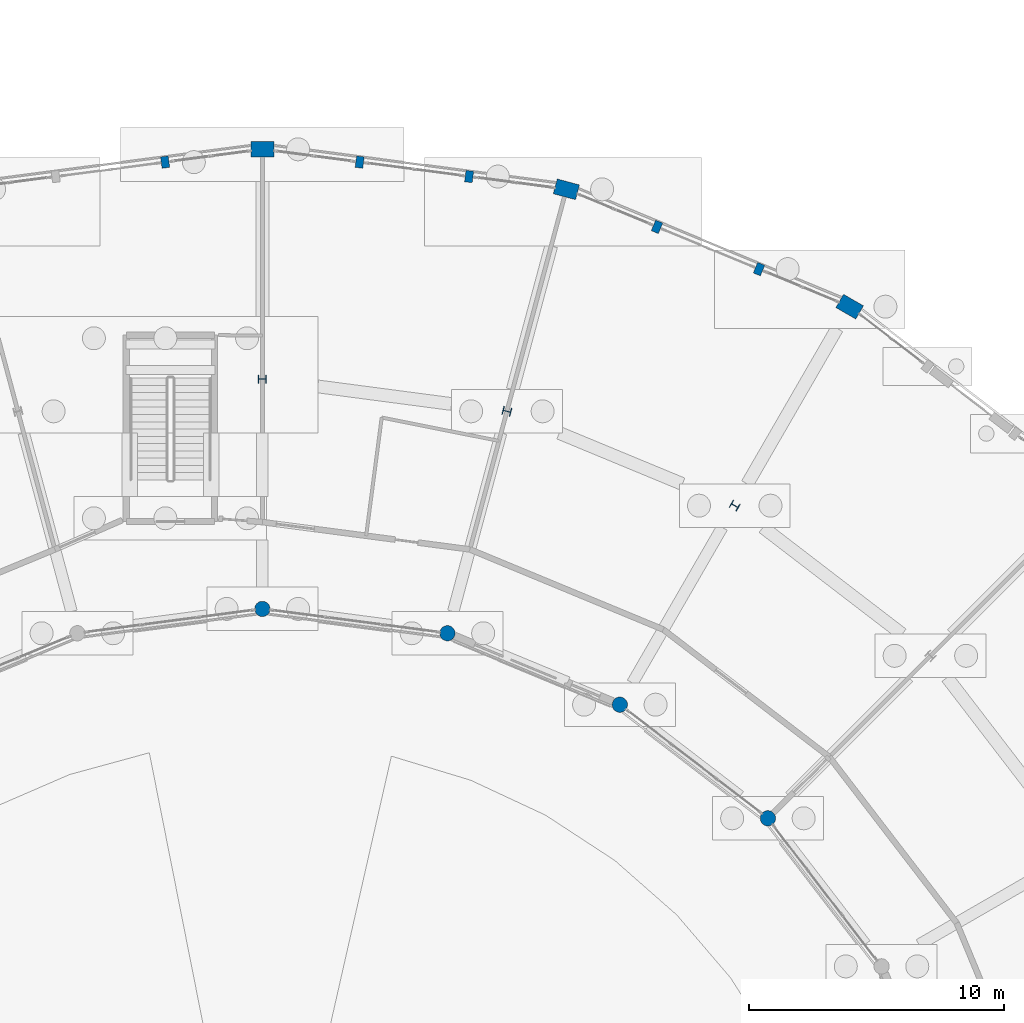
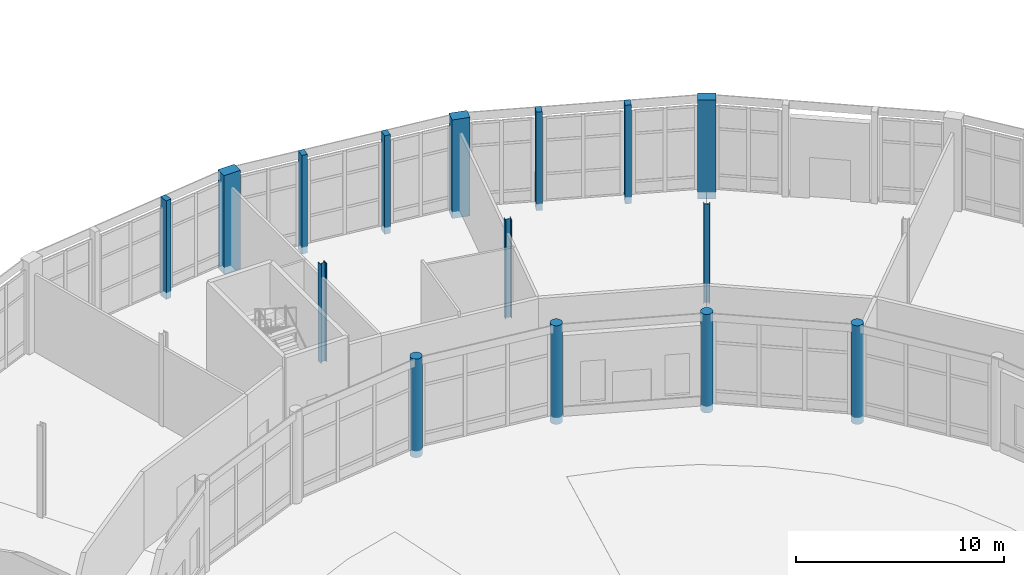
# One storey, part 18 of 137: 15 columns.
"""IFC4 building model written with IfcOpenShell, lengths in metres."""

from ifc_helpers import new_model, si_unit, direction, frame, origin, origin_2d, place, context, subcontext, project, spatial, rectangle, circle, i_section, extrude, material, material_profile, profile_set, type_object, element, save


model = new_model("IFC4")

# Units and contexts
model_context = context("Model", 3, precision=1e-05, world=origin(), true_north=direction((0.0, 1.0)))
body_context = subcontext(model_context, "Body", "Model", "MODEL_VIEW")
ifc_project = project(units=[si_unit("LENGTHUNIT", "METRE"), si_unit("AREAUNIT", "SQUARE_METRE"), si_unit("VOLUMEUNIT", "CUBIC_METRE"), si_unit("PLANEANGLEUNIT", "RADIAN"), si_unit("MASSUNIT", "GRAM", prefix="KILO")], contexts=[model_context])

# Site, building, storey
site_placement = place(None, origin())
site = spatial("IfcSite", under=ifc_project, at=site_placement, CompositionType="ELEMENT")
building_placement = place(site_placement, origin())
building = spatial("IfcBuilding", under=site, at=building_placement, Name="Vondelvale Polytechnic", CompositionType="ELEMENT")
storey_placement = place(building_placement, origin())
storey = spatial("IfcBuildingStorey", under=building, at=storey_placement, Name="L00", CompositionType="ELEMENT", Elevation=0.0)

# Columns
ifc_material_1 = material(Name="Glulam GL18 structural Tasmanian oak (fb = 42 MPa)", Category="wood")
ifc_material_profile_1 = material_profile(ifc_material_1, rectangle(XDim=0.300048828125, YDim=0.449951171875, at=origin_2d()), Name="GL-POST-300x450")
ifc_profile_set_1 = profile_set([ifc_material_profile_1], Name="Glulam GL18 structural Tasmanian oak (fb = 42 MPa)")
column_type_1 = type_object("IfcColumnType", Name="COL-GLULAM-300x450", PredefinedType="PILASTER", material=ifc_profile_set_1)
for number, where, z_axis, x_axis, name in (
    (1, (121.44970703125, 113.3076171875, -0.39990234375), (0.0, 0.0, 1.0), (-0.923879532511, 0.382683432365, 0.0), "L00 ring outer glulam timber post C04-P1"),
    (2, (117.455810546875, 114.962158203125, -0.39990234375), (0.0, 0.0, 1.0), (-0.923879532511, 0.382683432365, 0.0), "L00 ring outer glulam timber post C04-P2"),
    (3, (110.095947265625, 116.93408203125, -0.39990234375), (0.0, 0.0, 1.0), (-0.991444861374, 0.13052619222, 0.0), "L00 ring outer glulam timber post C05-P1"),
    (4, (105.809814453125, 117.498291015625, -0.39990234375), (0.0, 0.0, 1.0), (-0.991444861374, 0.13052619222, 0.0), "L00 ring outer glulam timber post C05-P2"),
    (5, (98.190185546875, 117.498291015625, -0.39990234375), (0.0, 0.0, 1.0), (0.991444861374, 0.13052619222, 0.0), "L00 ring outer glulam timber post C06-P1"),
):
    element("IfcColumn", number, at=place(storey_placement, frame(where, z_axis=z_axis, x_axis=x_axis)), inside=storey, type_object=column_type_1, Name=name, PredefinedType="PILASTER", context=body_context, shape_type="SweptSolid", body=[
        extrude(rectangle(XDim=0.300048828125, YDim=0.449951171875, at=origin_2d()), origin(), (0.0, 0.0, 1.0), 5.7998046875),
    ])
ifc_material_2 = material(Name="Concrete N50 (f'c = 50 MPa)", Category="concrete")
ifc_material_profile_2 = material_profile(ifc_material_2, rectangle(XDim=0.60009765625, YDim=0.89990234375, at=origin_2d()), Name="RC-COL-900x600")
ifc_profile_set_2 = profile_set([ifc_material_profile_2], Name="Concrete N50 (f'c = 50 MPa)")
column_type_2 = type_object("IfcColumnType", Name="COL-RC900x600", PredefinedType="COLUMN", material=ifc_profile_set_2)
for number, where, z_axis, x_axis, name in (
    (6, (125.0, 111.837158203125, -0.39990234375), (0.0, 0.0, 1.0), (0.5, 0.866025403784, 0.0), "L00 courtyard ring column S04-RO"),
    (7, (113.90576171875, 116.4326171875, -0.39990234375), (0.0, 0.0, 1.0), (0.258819045103, 0.965925826289, 0.0), "L00 courtyard ring column S05-RO"),
    (8, (102.0, 118.0, -0.39990234375), (0.0, 0.0, 1.0), (0.0, 1.0, 0.0), "L00 courtyard ring column S06-RO"),
):
    element("IfcColumn", number, at=place(storey_placement, frame(where, z_axis=z_axis, x_axis=x_axis)), inside=storey, type_object=column_type_2, Name=name, PredefinedType="COLUMN", context=body_context, shape_type="SweptSolid", body=[
        extrude(rectangle(XDim=0.60009765625, YDim=0.89990234375, at=origin_2d()), origin(), (0.0, 0.0, 1.0), 5.7998046875),
    ])
ifc_material_profile_3 = material_profile(ifc_material_2, circle(Radius=0.300048828125, at=origin_2d()), Name="RC-COL-D600")
ifc_profile_set_3 = profile_set([ifc_material_profile_3], Name="Concrete N50 (f'c = 50 MPa)")
column_type_3 = type_object("IfcColumnType", Name="COL-RCD600", PredefinedType="COLUMN", material=ifc_profile_set_3)
for number, where, z_axis, x_axis, name in (
    (9, (121.799072265625, 91.799072265625, -0.39990234375), (0.0, 0.0, 1.0), (0.707106781187, 0.707106781187, 0.0), "L00 courtyard ring column S03-RI"),
    (10, (116.0, 96.248779296875, -0.39990234375), (0.0, 0.0, 1.0), (0.5, 0.866025403784, 0.0), "L00 courtyard ring column S04-RI"),
    (11, (109.246826171875, 99.0458984375, -0.39990234375), (0.0, 0.0, 1.0), (0.258819045103, 0.965925826289, 0.0), "L00 courtyard ring column S05-RI"),
    (12, (102.0, 100.0, -0.39990234375), (0.0, 0.0, 1.0), (0.0, 1.0, 0.0), "L00 courtyard ring column S06-RI"),
):
    element("IfcColumn", number, at=place(storey_placement, frame(where, z_axis=z_axis, x_axis=x_axis)), inside=storey, type_object=column_type_3, Name=name, PredefinedType="COLUMN", context=body_context, shape_type="SweptSolid", body=[
        extrude(circle(Radius=0.300048828125, at=origin_2d()), origin(), (0.0, 0.0, 1.0), 5.7998046875),
    ])
ifc_material_3 = material(Name="Steel 300PLUS (fy = 300 MPa)", Category="steel")
ifc_material_profile_4 = material_profile(ifc_material_3, i_section(OverallWidth=0.30908203125, OverallDepth=0.321044921875, WebThickness=0.013916015625, FlangeThickness=0.021728515625, FilletRadius=0.0166015625, at=origin_2d()), Name="310UC137")
ifc_profile_set_4 = profile_set([ifc_material_profile_4], Name="Steel 300PLUS (fy = 300 MPa)")
column_type_4 = type_object("IfcColumnType", Name="COL-UC310M", PredefinedType="COLUMN", material=ifc_profile_set_4)
for number, where, z_axis, x_axis, name in (
    (13, (120.5, 104.04296875, -0.39990234375), (0.0, 0.0, 1.0), (0.5, 0.866025403784, 0.0), "L00 courtyard ring column S04-RM"),
    (14, (111.576416015625, 107.7392578125, -0.39990234375), (0.0, 0.0, 1.0), (0.258819045103, 0.965925826289, 0.0), "L00 courtyard ring column S05-RM"),
    (15, (102.0, 109.0, -0.39990234375), (0.0, 0.0, 1.0), (0.0, 1.0, 0.0), "L00 courtyard ring column S06-RM"),
):
    element("IfcColumn", number, at=place(storey_placement, frame(where, z_axis=z_axis, x_axis=x_axis)), inside=storey, type_object=column_type_4, Name=name, PredefinedType="COLUMN", context=body_context, shape_type="SweptSolid", body=[
        extrude(i_section(OverallWidth=0.30908203125, OverallDepth=0.321044921875, WebThickness=0.013916015625, FlangeThickness=0.021728515625, FilletRadius=0.0166015625, at=origin_2d()), origin(), (0.0, 0.0, 1.0), 5.7998046875),
    ])

save(model, "model.ifc")
